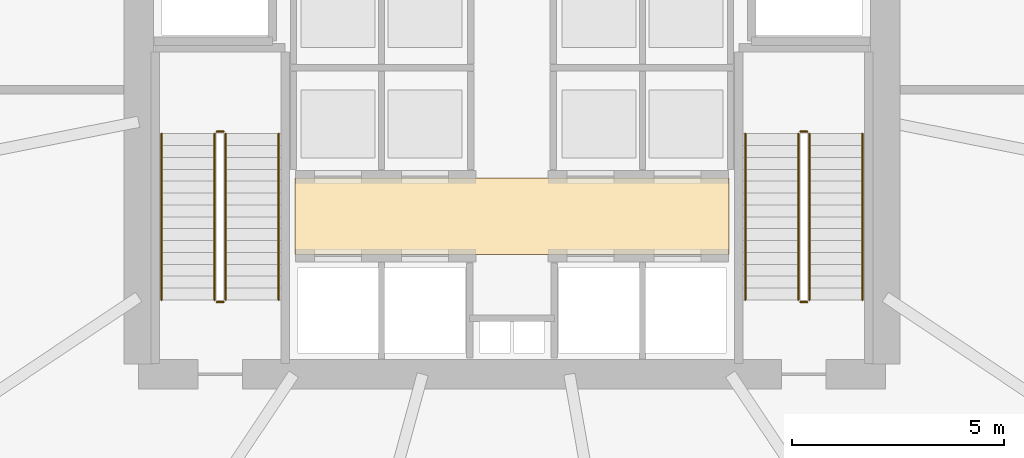
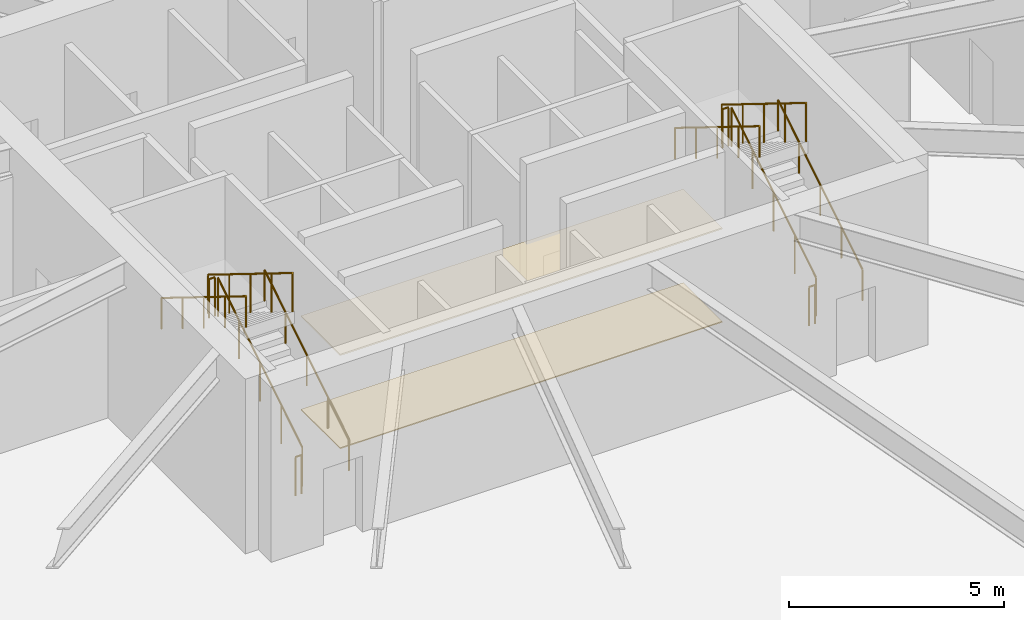
# One storey, part 31 of 35: 12 railings, 2 coverings.
"""IFC4 building model written with IfcOpenShell, lengths in metres."""

from ifc_helpers import new_model, si_unit, direction, frame, origin, origin_2d, place, context, subcontext, project, spatial, polyline, circle, outline, extrude, material, layer, layer_set, type_object, element, save


model = new_model("IFC4")

# Units and contexts
model_context = context("Model", 3, precision=1e-05, world=origin(), true_north=direction((0.0, 1.0)))
body_context = subcontext(model_context, "Body", "Model", "MODEL_VIEW")
ifc_project = project(units=[si_unit("LENGTHUNIT", "METRE"), si_unit("AREAUNIT", "SQUARE_METRE"), si_unit("VOLUMEUNIT", "CUBIC_METRE"), si_unit("PLANEANGLEUNIT", "RADIAN"), si_unit("MASSUNIT", "GRAM", prefix="KILO"), si_unit("THERMODYNAMICTEMPERATUREUNIT", "KELVIN")], contexts=[model_context])

# Site, building, storey
site_placement = place(None, origin())
site = spatial("IfcSite", under=ifc_project, at=site_placement, CompositionType="ELEMENT")
building_placement = place(site_placement, origin())
building = spatial("IfcBuilding", under=site, at=building_placement, Name="Kethvar Cultural Tower", CompositionType="ELEMENT")
storey_placement = place(building_placement, origin())
storey = spatial("IfcBuildingStorey", under=building, at=storey_placement, Name="L00", CompositionType="ELEMENT", Elevation=0.0)

# Coverings
ifc_material_1 = material(Name="Acoustic Mineral Fibre Ceiling")
ifc_layer_1 = layer(ifc_material_1, 0.0400390625, Name="Acoustic Mineral Fibre Ceiling")
ifc_layer_set_1 = layer_set([ifc_layer_1], Name="Acoustic Mineral Fibre Ceiling (40 mm)")
covering_type_1 = type_object("IfcCoveringType", Name="CV-ACOUSTIC-CEIL", PredefinedType="CEILING", material=ifc_layer_set_1)
covering_1_placement = place(storey_placement, frame((0.0, 0.0, 2.639892578125)))
element("IfcCovering", 1, at=covering_1_placement, inside=storey, type_object=covering_type_1, Name="L00 Lift Lobby Acoustic Ceiling", PredefinedType="CEILING", context=body_context, shape_type="SweptSolid", body=[
    extrude(outline(polyline([(41.679931640625, 22.919921875), (51.919921875, 22.919921875), (51.919921875, 24.72998046875), (41.679931640625, 24.72998046875), (41.679931640625, 22.919921875)])), origin(), (0.0, 0.0, 1.0), 0.0400390625),
])
ifc_material_2 = material(Name="Honed Warm Limestone", Category="masonry")
ifc_layer_2 = layer(ifc_material_2, 0.030029296875, Name="Honed Warm Limestone", Category="masonry")
ifc_layer_set_2 = layer_set([ifc_layer_2], Name="Honed Warm Limestone (30 mm)")
covering_type_2 = type_object("IfcCoveringType", Name="CV-STONE-FLOOR", PredefinedType="FLOORING", material=ifc_layer_set_2)
covering_2_placement = place(storey_placement, origin())
element("IfcCovering", 2, at=covering_2_placement, inside=storey, type_object=covering_type_2, Name="L00 Lift Lobby Floor Finish", PredefinedType="FLOORING", context=body_context, shape_type="SweptSolid", body=[
    extrude(outline(polyline([(41.679931640625, 22.919921875), (51.919921875, 22.919921875), (51.919921875, 24.72998046875), (41.679931640625, 24.72998046875), (41.679931640625, 22.919921875)])), origin(), (0.0, 0.0, 1.0), 0.030029296875),
])

# Railings
ifc_material_3 = material(Name="Steel S355J2", Category="steel")
railing_type_1 = type_object("IfcRailingType", Name="RL-STAIR-GUARD", PredefinedType="BALUSTRADE", material=ifc_material_3)
railing_1_placement = place(storey_placement, frame((40.050048828125, 21.85009765625, 0.17333984375)))
element("IfcRailing", 3, at=railing_1_placement, inside=storey, type_object=railing_type_1, Name="L00 ST-01 stair guard 1", PredefinedType="BALUSTRADE", context=body_context, shape_type="SweptSolid", body=[
    extrude(circle(Radius=0.02392578125, at=origin_2d()), frame((0.0, 0.0, 1.09619140625), z_axis=(0.0, 0.850251603719, 0.526376491091), x_axis=(-1.0, 0.0, 0.0)), (0.0, 0.0, 1.0), 4.6103515625),
    extrude(circle(Radius=0.02099609375, at=origin_2d()), origin(), (0.0, 0.0, 1.0), 1.072021484375),
    extrude(circle(Radius=0.02099609375, at=origin_2d()), frame((0.0, 0.97998046875, 0.606689453125)), (0.0, 0.0, 1.0), 1.072021484375),
    extrude(circle(Radius=0.02099609375, at=origin_2d()), frame((0.0, 1.9599609375, 1.21337890625)), (0.0, 0.0, 1.0), 1.072021484375),
    extrude(circle(Radius=0.02099609375, at=origin_2d()), frame((0.0, 2.93994140625, 1.820068359375)), (0.0, 0.0, 1.0), 1.072021484375),
    extrude(circle(Radius=0.02099609375, at=origin_2d()), frame((0.0, 3.919921875, 2.4267578125)), (0.0, 0.0, 1.0), 1.072021484375),
])
railing_2_placement = place(storey_placement, frame((40.0, 25.820068359375, 2.60009765625)))
element("IfcRailing", 4, at=railing_2_placement, inside=storey, type_object=railing_type_1, Name="L00 ST-01 stair guard 2", PredefinedType="BALUSTRADE", context=body_context, shape_type="SweptSolid", body=[
    extrude(circle(Radius=0.02392578125, at=origin_2d()), frame((0.0, 0.0, 1.09619140625), z_axis=(-1.0, 0.0, 0.0), x_axis=(0.0, -1.0, 0.0)), (0.0, 0.0, 1.0), 0.159912109375),
    extrude(circle(Radius=0.02099609375, at=origin_2d()), origin(), (0.0, 0.0, 1.0), 1.072021484375),
    extrude(circle(Radius=0.02099609375, at=origin_2d()), frame((-0.159912109375, 0.0, 0.0)), (0.0, 0.0, 1.0), 1.072021484375),
])
railing_3_placement = place(storey_placement, frame((39.7900390625, 25.77001953125, 2.7734375)))
element("IfcRailing", 5, at=railing_3_placement, inside=storey, type_object=railing_type_1, Name="L00 ST-01 stair guard 3", PredefinedType="BALUSTRADE", context=body_context, shape_type="SweptSolid", body=[
    extrude(circle(Radius=0.02392578125, at=origin_2d()), frame((0.0, 0.0, 1.09619140625), z_axis=(0.0, -0.850275303828, 0.526338206574), x_axis=(1.0, 0.0, 0.0)), (0.0, 0.0, 1.0), 4.610107421875),
    extrude(circle(Radius=0.02099609375, at=origin_2d()), origin(), (0.0, 0.0, 1.0), 1.072021484375),
    extrude(circle(Radius=0.02099609375, at=origin_2d()), frame((0.0, -0.97998046875, 0.606689453125)), (0.0, 0.0, 1.0), 1.072021484375),
    extrude(circle(Radius=0.02099609375, at=origin_2d()), frame((0.0, -1.9599609375, 1.21337890625)), (0.0, 0.0, 1.0), 1.072021484375),
    extrude(circle(Radius=0.02099609375, at=origin_2d()), frame((0.0, -2.93994140625, 1.81982421875)), (0.0, 0.0, 1.0), 1.072021484375),
    extrude(circle(Radius=0.02099609375, at=origin_2d()), frame((0.0, -3.919921875, 2.426513671875)), (0.0, 0.0, 1.0), 1.072021484375),
])
railing_4_placement = place(storey_placement, frame((40.0, 21.800048828125, 0.0)))
element("IfcRailing", 6, at=railing_4_placement, inside=storey, type_object=railing_type_1, Name="L00 ST-01 stair guard 4", PredefinedType="BALUSTRADE", context=body_context, shape_type="SweptSolid", body=[
    extrude(circle(Radius=0.02392578125, at=origin_2d()), frame((0.0, 0.0, 1.09619140625), z_axis=(-1.0, 0.0, 0.0), x_axis=(0.0, -1.0, 0.0)), (0.0, 0.0, 1.0), 0.159912109375),
    extrude(circle(Radius=0.02099609375, at=origin_2d()), origin(), (0.0, 0.0, 1.0), 1.072021484375),
    extrude(circle(Radius=0.02099609375, at=origin_2d()), frame((-0.159912109375, 0.0, 0.0)), (0.0, 0.0, 1.0), 1.072021484375),
])
railing_5_placement = place(storey_placement, frame((53.81005859375, 21.85009765625, 0.17333984375)))
element("IfcRailing", 7, at=railing_5_placement, inside=storey, type_object=railing_type_1, Name="L00 ST-02 stair guard 1", PredefinedType="BALUSTRADE", context=body_context, shape_type="SweptSolid", body=[
    extrude(circle(Radius=0.02392578125, at=origin_2d()), frame((0.0, 0.0, 1.09619140625), z_axis=(0.0, 0.850251603719, 0.526376491091), x_axis=(-1.0, 0.0, 0.0)), (0.0, 0.0, 1.0), 4.6103515625),
    extrude(circle(Radius=0.02099609375, at=origin_2d()), origin(), (0.0, 0.0, 1.0), 1.072021484375),
    extrude(circle(Radius=0.02099609375, at=origin_2d()), frame((0.0, 0.97998046875, 0.606689453125)), (0.0, 0.0, 1.0), 1.072021484375),
    extrude(circle(Radius=0.02099609375, at=origin_2d()), frame((0.0, 1.9599609375, 1.21337890625)), (0.0, 0.0, 1.0), 1.072021484375),
    extrude(circle(Radius=0.02099609375, at=origin_2d()), frame((0.0, 2.93994140625, 1.820068359375)), (0.0, 0.0, 1.0), 1.072021484375),
    extrude(circle(Radius=0.02099609375, at=origin_2d()), frame((0.0, 3.919921875, 2.4267578125)), (0.0, 0.0, 1.0), 1.072021484375),
])
railing_6_placement = place(storey_placement, frame((53.760009765625, 25.820068359375, 2.60009765625)))
element("IfcRailing", 8, at=railing_6_placement, inside=storey, type_object=railing_type_1, Name="L00 ST-02 stair guard 2", PredefinedType="BALUSTRADE", context=body_context, shape_type="SweptSolid", body=[
    extrude(circle(Radius=0.02392578125, at=origin_2d()), frame((0.0, 0.0, 1.09619140625), z_axis=(-1.0, 0.0, 0.0), x_axis=(0.0, -1.0, 0.0)), (0.0, 0.0, 1.0), 0.159912109375),
    extrude(circle(Radius=0.02099609375, at=origin_2d()), origin(), (0.0, 0.0, 1.0), 1.072021484375),
    extrude(circle(Radius=0.02099609375, at=origin_2d()), frame((-0.159912109375, 0.0, 0.0)), (0.0, 0.0, 1.0), 1.072021484375),
])
railing_7_placement = place(storey_placement, frame((53.550048828125, 25.77001953125, 2.7734375)))
element("IfcRailing", 9, at=railing_7_placement, inside=storey, type_object=railing_type_1, Name="L00 ST-02 stair guard 3", PredefinedType="BALUSTRADE", context=body_context, shape_type="SweptSolid", body=[
    extrude(circle(Radius=0.02392578125, at=origin_2d()), frame((0.0, 0.0, 1.09619140625), z_axis=(0.0, -0.850275303828, 0.526338206574), x_axis=(1.0, 0.0, 0.0)), (0.0, 0.0, 1.0), 4.610107421875),
    extrude(circle(Radius=0.02099609375, at=origin_2d()), origin(), (0.0, 0.0, 1.0), 1.072021484375),
    extrude(circle(Radius=0.02099609375, at=origin_2d()), frame((0.0, -0.97998046875, 0.606689453125)), (0.0, 0.0, 1.0), 1.072021484375),
    extrude(circle(Radius=0.02099609375, at=origin_2d()), frame((0.0, -1.9599609375, 1.21337890625)), (0.0, 0.0, 1.0), 1.072021484375),
    extrude(circle(Radius=0.02099609375, at=origin_2d()), frame((0.0, -2.93994140625, 1.81982421875)), (0.0, 0.0, 1.0), 1.072021484375),
    extrude(circle(Radius=0.02099609375, at=origin_2d()), frame((0.0, -3.919921875, 2.426513671875)), (0.0, 0.0, 1.0), 1.072021484375),
])
railing_8_placement = place(storey_placement, frame((53.760009765625, 21.800048828125, 0.0)))
element("IfcRailing", 10, at=railing_8_placement, inside=storey, type_object=railing_type_1, Name="L00 ST-02 stair guard 4", PredefinedType="BALUSTRADE", context=body_context, shape_type="SweptSolid", body=[
    extrude(circle(Radius=0.02392578125, at=origin_2d()), frame((0.0, 0.0, 1.09619140625), z_axis=(-1.0, 0.0, 0.0), x_axis=(0.0, -1.0, 0.0)), (0.0, 0.0, 1.0), 0.159912109375),
    extrude(circle(Radius=0.02099609375, at=origin_2d()), origin(), (0.0, 0.0, 1.0), 1.072021484375),
    extrude(circle(Radius=0.02099609375, at=origin_2d()), frame((-0.159912109375, 0.0, 0.0)), (0.0, 0.0, 1.0), 1.072021484375),
])
railing_type_2 = type_object("IfcRailingType", Name="RL-STAIR-HANDRAIL", PredefinedType="HANDRAIL", material=ifc_material_3)
railing_9_placement = place(storey_placement, frame((41.300048828125, 21.85009765625, 0.17333984375)))
element("IfcRailing", 11, at=railing_9_placement, inside=storey, type_object=railing_type_2, Name="L00 ST-01 stair handrail 1", PredefinedType="HANDRAIL", context=body_context, shape_type="SweptSolid", body=[
    extrude(circle(Radius=0.02392578125, at=origin_2d()), frame((0.0, 0.0, 0.8759765625), z_axis=(0.0, 0.850251603719, 0.526376491091), x_axis=(-1.0, 0.0, 0.0)), (0.0, 0.0, 1.0), 4.6103515625),
    extrude(circle(Radius=0.02099609375, at=origin_2d()), origin(), (0.0, 0.0, 1.0), 0.851806640625),
    extrude(circle(Radius=0.02099609375, at=origin_2d()), frame((0.0, 0.97998046875, 0.606689453125)), (0.0, 0.0, 1.0), 0.851806640625),
    extrude(circle(Radius=0.02099609375, at=origin_2d()), frame((0.0, 1.9599609375, 1.21337890625)), (0.0, 0.0, 1.0), 0.851806640625),
    extrude(circle(Radius=0.02099609375, at=origin_2d()), frame((0.0, 2.93994140625, 1.820068359375)), (0.0, 0.0, 1.0), 0.851806640625),
    extrude(circle(Radius=0.02099609375, at=origin_2d()), frame((0.0, 3.919921875, 2.4267578125)), (0.0, 0.0, 1.0), 0.851806640625),
])
railing_10_placement = place(storey_placement, frame((38.5400390625, 25.77001953125, 2.7734375)))
element("IfcRailing", 12, at=railing_10_placement, inside=storey, type_object=railing_type_2, Name="L00 ST-01 stair handrail 2", PredefinedType="HANDRAIL", context=body_context, shape_type="SweptSolid", body=[
    extrude(circle(Radius=0.02392578125, at=origin_2d()), frame((0.0, 0.0, 0.8759765625), z_axis=(0.0, -0.850275303828, 0.526338206574), x_axis=(1.0, 0.0, 0.0)), (0.0, 0.0, 1.0), 4.610107421875),
    extrude(circle(Radius=0.02099609375, at=origin_2d()), origin(), (0.0, 0.0, 1.0), 0.851806640625),
    extrude(circle(Radius=0.02099609375, at=origin_2d()), frame((0.0, -0.97998046875, 0.606689453125)), (0.0, 0.0, 1.0), 0.851806640625),
    extrude(circle(Radius=0.02099609375, at=origin_2d()), frame((0.0, -1.9599609375, 1.21337890625)), (0.0, 0.0, 1.0), 0.851806640625),
    extrude(circle(Radius=0.02099609375, at=origin_2d()), frame((0.0, -2.93994140625, 1.81982421875)), (0.0, 0.0, 1.0), 0.851806640625),
    extrude(circle(Radius=0.02099609375, at=origin_2d()), frame((0.0, -3.919921875, 2.426513671875)), (0.0, 0.0, 1.0), 0.851806640625),
])
railing_11_placement = place(storey_placement, frame((55.06005859375, 21.85009765625, 0.17333984375)))
element("IfcRailing", 13, at=railing_11_placement, inside=storey, type_object=railing_type_2, Name="L00 ST-02 stair handrail 1", PredefinedType="HANDRAIL", context=body_context, shape_type="SweptSolid", body=[
    extrude(circle(Radius=0.02392578125, at=origin_2d()), frame((0.0, 0.0, 0.8759765625), z_axis=(0.0, 0.850251603719, 0.526376491091), x_axis=(-1.0, 0.0, 0.0)), (0.0, 0.0, 1.0), 4.6103515625),
    extrude(circle(Radius=0.02099609375, at=origin_2d()), origin(), (0.0, 0.0, 1.0), 0.851806640625),
    extrude(circle(Radius=0.02099609375, at=origin_2d()), frame((0.0, 0.97998046875, 0.606689453125)), (0.0, 0.0, 1.0), 0.851806640625),
    extrude(circle(Radius=0.02099609375, at=origin_2d()), frame((0.0, 1.9599609375, 1.21337890625)), (0.0, 0.0, 1.0), 0.851806640625),
    extrude(circle(Radius=0.02099609375, at=origin_2d()), frame((0.0, 2.93994140625, 1.820068359375)), (0.0, 0.0, 1.0), 0.851806640625),
    extrude(circle(Radius=0.02099609375, at=origin_2d()), frame((0.0, 3.919921875, 2.4267578125)), (0.0, 0.0, 1.0), 0.851806640625),
])
railing_12_placement = place(storey_placement, frame((52.300048828125, 25.77001953125, 2.7734375)))
element("IfcRailing", 14, at=railing_12_placement, inside=storey, type_object=railing_type_2, Name="L00 ST-02 stair handrail 2", PredefinedType="HANDRAIL", context=body_context, shape_type="SweptSolid", body=[
    extrude(circle(Radius=0.02392578125, at=origin_2d()), frame((0.0, 0.0, 0.8759765625), z_axis=(0.0, -0.850275303828, 0.526338206574), x_axis=(1.0, 0.0, 0.0)), (0.0, 0.0, 1.0), 4.610107421875),
    extrude(circle(Radius=0.02099609375, at=origin_2d()), origin(), (0.0, 0.0, 1.0), 0.851806640625),
    extrude(circle(Radius=0.02099609375, at=origin_2d()), frame((0.0, -0.97998046875, 0.606689453125)), (0.0, 0.0, 1.0), 0.851806640625),
    extrude(circle(Radius=0.02099609375, at=origin_2d()), frame((0.0, -1.9599609375, 1.21337890625)), (0.0, 0.0, 1.0), 0.851806640625),
    extrude(circle(Radius=0.02099609375, at=origin_2d()), frame((0.0, -2.93994140625, 1.81982421875)), (0.0, 0.0, 1.0), 0.851806640625),
    extrude(circle(Radius=0.02099609375, at=origin_2d()), frame((0.0, -3.919921875, 2.426513671875)), (0.0, 0.0, 1.0), 0.851806640625),
])

save(model, "model.ifc")
